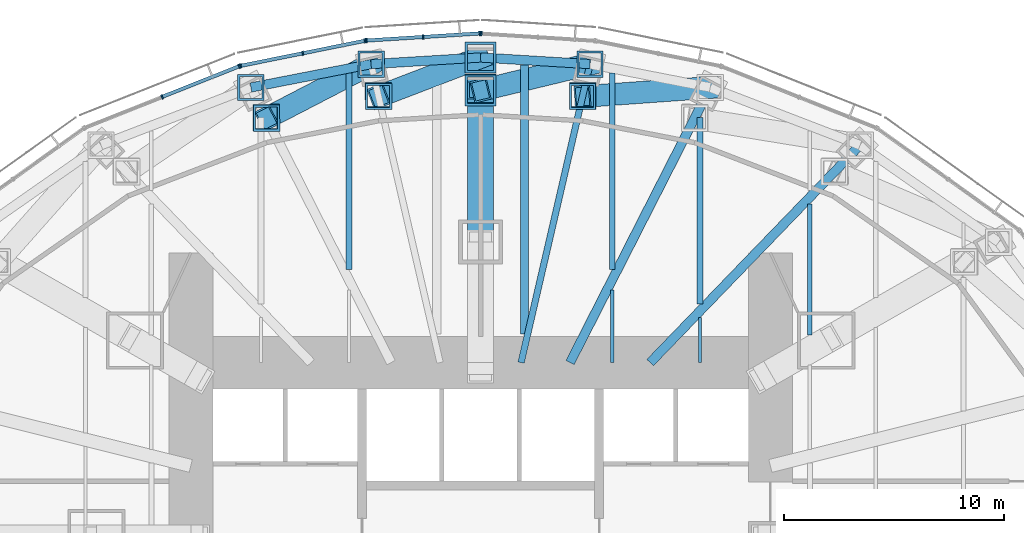
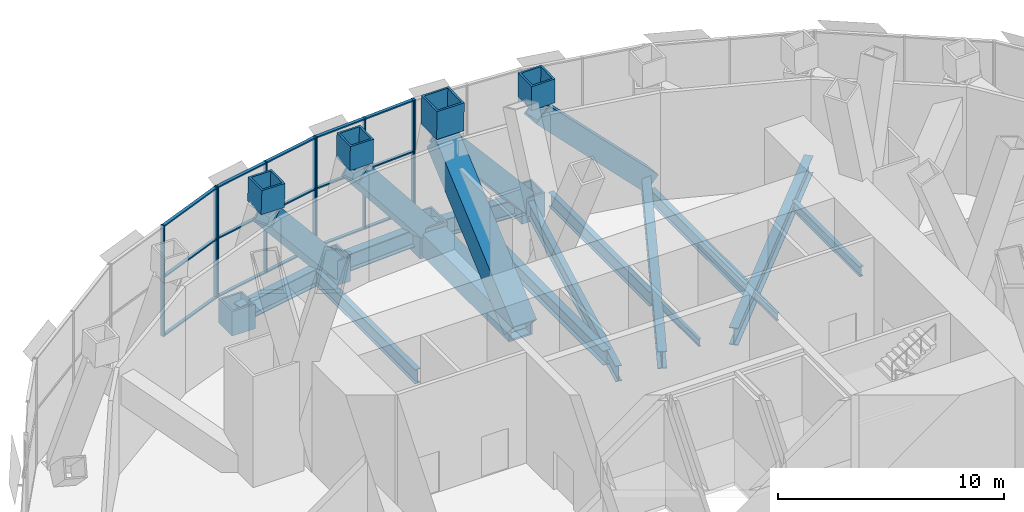
# One storey, part 9 of 21: 37 members, 14 beams, 4 elements without a shape of their own.
"""IFC4 building model written with IfcOpenShell, lengths in metres."""

from ifc_helpers import new_model, si_unit, direction, frame, origin, origin_2d, place, context, subcontext, project, spatial, rectangle, hollow_rectangle, i_section, extrude, material, material_profile, profile_set, type_object, element, aggregate, save


model = new_model("IFC4")

# Units and contexts
model_context = context("Model", 3, precision=1e-05, world=origin(), true_north=direction((0.0, 1.0)))
body_context = subcontext(model_context, "Body", "Model", "MODEL_VIEW")
ifc_project = project(units=[si_unit("LENGTHUNIT", "METRE"), si_unit("AREAUNIT", "SQUARE_METRE"), si_unit("VOLUMEUNIT", "CUBIC_METRE"), si_unit("PLANEANGLEUNIT", "RADIAN"), si_unit("MASSUNIT", "GRAM", prefix="KILO")], contexts=[model_context])

# Site, building, storey
site_placement = place(None, origin())
site = spatial("IfcSite", under=ifc_project, at=site_placement, CompositionType="ELEMENT")
building_placement = place(site_placement, origin())
building = spatial("IfcBuilding", under=site, at=building_placement, Name="Lantaw Convention Tower", CompositionType="ELEMENT")
storey_placement = place(building_placement, frame((0.0, 0.0, 105.39990234375)))
storey = spatial("IfcBuildingStorey", under=building, at=storey_placement, Name="L25", CompositionType="ELEMENT", Elevation=105.39990234375)

# Beams
ifc_material_1 = material(Name="Steel ASTM A992", Category="steel")
ifc_material_profile_1 = material_profile(ifc_material_1, i_section(OverallWidth=0.424072265625, OverallDepth=0.947509765625, WebThickness=0.02392578125, FlangeThickness=0.042724609375, FilletRadius=0.012451171875, at=origin_2d()), Name="W36X302")
ifc_profile_set_1 = profile_set([ifc_material_profile_1], Name="Steel ASTM A992")
beam_type_1 = type_object("IfcBeamType", Name="Beam BC W36X302", PredefinedType="SPANDREL", material=ifc_profile_set_1)
for number, where, z_axis, x_axis, name in (
    (1, (4.986328125, 21.59814453125, -0.673583984375), (-0.998173858406, 0.060406526096, 0.0), (-0.060406526096, -0.998173858406, 0.0), "Belt truss chord 6"),
    (2, (0.0, 21.89990234375, -0.673583984375), (-0.998173858406, -0.060406526096, 0.0), (0.060406526096, -0.998173858406, 0.0), "Belt truss chord 7"),
):
    element("IfcBeam", number, at=place(storey_placement, frame(where, z_axis=z_axis, x_axis=x_axis)), inside=storey, type_object=beam_type_1, Name=name, PredefinedType="SPANDREL", context=body_context, shape_type="SweptSolid", body=[
        extrude(i_section(OverallWidth=0.424072265625, OverallDepth=0.947509765625, WebThickness=0.02392578125, FlangeThickness=0.042724609375, FilletRadius=0.012451171875, at=origin_2d()), origin(), (0.0, 0.0, 1.0), 4.995361328125),
    ])
beam_1_placement = place(storey_placement, frame((-4.986328125, 21.59814453125, -0.673583984375), z_axis=(-0.981636565323, -0.190760723474, 0.0), x_axis=(0.190760723474, -0.981636565323, 0.0)))
element("IfcBeam", 3, at=beam_1_placement, inside=storey, type_object=beam_type_1, Name="Belt truss chord 8", PredefinedType="SPANDREL", context=body_context, shape_type="SweptSolid", body=[
    extrude(i_section(OverallWidth=0.424072265625, OverallDepth=0.947509765625, WebThickness=0.02392578125, FlangeThickness=0.042724609375, FilletRadius=0.012451171875, at=origin_2d()), origin(), (0.0, 0.0, 1.0), 5.578857421875),
])
ifc_material_2 = material(Name="Steel EN 10025-3 S460N", Category="steel")
ifc_material_profile_2 = material_profile(ifc_material_2, hollow_rectangle(XDim=1.199951171875, YDim=1.199951171875, WallThickness=0.10009765625, at=origin_2d()), Name="BOX1200X100")
ifc_profile_set_2 = profile_set([ifc_material_profile_2], Name="Steel EN 10025-3 S460N")
beam_type_2 = type_object("IfcBeamType", Name="Beam G BOX1200X100", PredefinedType="BEAM", material=ifc_profile_set_2)
beam_2_placement = place(storey_placement, frame((0.0, 13.5, -0.7998046875), z_axis=(0.0, 1.0, 0.0), x_axis=(-1.0, 0.0, 0.0)))
element("IfcBeam", 4, at=beam_2_placement, inside=storey, type_object=beam_type_2, Name="Floor girder on ray 7", PredefinedType="BEAM", context=body_context, shape_type="SweptSolid", body=[
    extrude(hollow_rectangle(XDim=1.199951171875, YDim=1.199951171875, WallThickness=0.10009765625, at=origin_2d()), origin(), (0.0, 0.0, 1.0), 8.39990234375),
])
ifc_material_profile_3 = material_profile(ifc_material_1, i_section(OverallWidth=0.2919921875, OverallDepth=0.845703125, WebThickness=0.015380859375, FlangeThickness=0.0244140625, FilletRadius=0.01513671875, at=origin_2d()), Name="W33X141")
ifc_profile_set_3 = profile_set([ifc_material_profile_3], Name="Steel ASTM A992")
beam_type_3 = type_object("IfcBeamType", Name="Beam G W33X141", PredefinedType="BEAM", material=ifc_profile_set_3)
beam_3_placement = place(storey_placement, frame((1.846923828125, 8.0, -0.622802734375), z_axis=(0.224952773175, 0.97436966796, 0.0), x_axis=(-0.97436966796, 0.224952773175, 0.0)))
element("IfcBeam", 5, at=beam_3_placement, inside=storey, type_object=beam_type_3, Name="Floor girder on ray 6", PredefinedType="BEAM", context=body_context, shape_type="SweptSolid", body=[
    extrude(i_section(OverallWidth=0.2919921875, OverallDepth=0.845703125, WebThickness=0.015380859375, FlangeThickness=0.0244140625, FilletRadius=0.01513671875, at=origin_2d()), origin(), (0.0, 0.0, 1.0), 13.955810546875),
])
ifc_material_profile_4 = material_profile(ifc_material_1, i_section(OverallWidth=0.421630859375, OverallDepth=0.937255859375, WebThickness=0.0224609375, FlangeThickness=0.039794921875, FilletRadius=0.02001953125, at=origin_2d()), Name="W36X282")
ifc_profile_set_4 = profile_set([ifc_material_profile_4], Name="Steel ASTM A992")
beam_type_4 = type_object("IfcBeamType", Name="Beam G W36X282", PredefinedType="BEAM", material=ifc_profile_set_4)
beam_4_placement = place(storey_placement, frame((7.7255859375, 8.0, -0.66845703125), z_axis=(0.694649884291, 0.719347995239, 0.0), x_axis=(-0.719347995239, 0.694649884291, 0.0)))
element("IfcBeam", 6, at=beam_4_placement, inside=storey, type_object=beam_type_4, Name="Floor girder on ray 4", PredefinedType="BEAM", context=body_context, shape_type="SweptSolid", body=[
    extrude(i_section(OverallWidth=0.421630859375, OverallDepth=0.937255859375, WebThickness=0.0224609375, FlangeThickness=0.039794921875, FilletRadius=0.02001953125, at=origin_2d()), origin(), (0.0, 0.0, 1.0), 13.769775390625),
])
beam_5_placement = place(storey_placement, frame((4.076171875, 8.0, -0.66845703125), z_axis=(0.453997016122, 0.891003203896, 0.0), x_axis=(-0.891003203896, 0.453997016122, 0.0)))
element("IfcBeam", 7, at=beam_5_placement, inside=storey, type_object=beam_type_4, Name="Floor girder on ray 5", PredefinedType="BEAM", context=body_context, shape_type="SweptSolid", body=[
    extrude(i_section(OverallWidth=0.421630859375, OverallDepth=0.937255859375, WebThickness=0.0224609375, FlangeThickness=0.039794921875, FilletRadius=0.02001953125, at=origin_2d()), origin(), (0.0, 0.0, 1.0), 14.067138671875),
])
ifc_material_profile_5 = material_profile(ifc_material_1, i_section(OverallWidth=0.140380859375, OverallDepth=0.40380859375, WebThickness=0.007080078125, FlangeThickness=0.01123046875, FilletRadius=0.01025390625, at=origin_2d()), Name="W16X31")
ifc_profile_set_5 = profile_set([ifc_material_profile_5], Name="Steel ASTM A992")
beam_type_5 = type_object("IfcBeamType", Name="Beam J W16X31", PredefinedType="JOIST", material=ifc_profile_set_5)
beam_6_placement = place(storey_placement, frame((6.0, 8.0, -0.40185546875), z_axis=(0.0, 1.0, 0.0), x_axis=(-1.0, 0.0, 0.0)))
element("IfcBeam", 8, at=beam_6_placement, inside=storey, type_object=beam_type_5, Name="Floor joist", PredefinedType="JOIST", context=body_context, shape_type="SweptSolid", body=[
    extrude(i_section(OverallWidth=0.140380859375, OverallDepth=0.40380859375, WebThickness=0.007080078125, FlangeThickness=0.01123046875, FilletRadius=0.01025390625, at=origin_2d()), origin(), (0.0, 0.0, 1.0), 3.311279296875),
])
beam_7_placement = place(storey_placement, frame((10.0, 8.0, -0.40185546875), z_axis=(0.0, 1.0, 0.0), x_axis=(-1.0, 0.0, 0.0)))
element("IfcBeam", 9, at=beam_7_placement, inside=storey, type_object=beam_type_5, Name="Floor joist", PredefinedType="JOIST", context=body_context, shape_type="SweptSolid", body=[
    extrude(i_section(OverallWidth=0.140380859375, OverallDepth=0.40380859375, WebThickness=0.007080078125, FlangeThickness=0.01123046875, FilletRadius=0.01025390625, at=origin_2d()), origin(), (0.0, 0.0, 1.0), 2.0517578125),
])
ifc_material_profile_6 = material_profile(ifc_material_1, i_section(OverallWidth=0.2099609375, OverallDepth=0.535888671875, WebThickness=0.010986328125, FlangeThickness=0.017333984375, FilletRadius=0.012939453125, at=origin_2d()), Name="W21X68")
ifc_profile_set_6 = profile_set([ifc_material_profile_6], Name="Steel ASTM A992")
beam_type_6 = type_object("IfcBeamType", Name="Beam J W21X68", PredefinedType="JOIST", material=ifc_profile_set_6)
beam_8_placement = place(storey_placement, frame((15.0, 9.262451171875, -0.4677734375), z_axis=(0.0, 1.0, 0.0), x_axis=(-1.0, 0.0, 0.0)))
element("IfcBeam", 10, at=beam_8_placement, inside=storey, type_object=beam_type_6, Name="Floor joist", PredefinedType="JOIST", context=body_context, shape_type="SweptSolid", body=[
    extrude(i_section(OverallWidth=0.2099609375, OverallDepth=0.535888671875, WebThickness=0.010986328125, FlangeThickness=0.017333984375, FilletRadius=0.012939453125, at=origin_2d()), origin(), (0.0, 0.0, 1.0), 5.967041015625),
])
ifc_material_profile_7 = material_profile(ifc_material_1, i_section(OverallWidth=0.2666015625, OverallDepth=0.7568359375, WebThickness=0.013916015625, FlangeThickness=0.019287109375, FilletRadius=0.0126953125, at=origin_2d()), Name="W30X108")
ifc_profile_set_7 = profile_set([ifc_material_profile_7], Name="Steel ASTM A992")
beam_type_7 = type_object("IfcBeamType", Name="Beam J W30X108", PredefinedType="JOIST", material=ifc_profile_set_7)
beam_9_placement = place(storey_placement, frame((10.0, 10.65869140625, -0.578369140625), z_axis=(0.0, 1.0, 0.0), x_axis=(-1.0, 0.0, 0.0)))
element("IfcBeam", 11, at=beam_9_placement, inside=storey, type_object=beam_type_7, Name="Floor joist", PredefinedType="JOIST", context=body_context, shape_type="SweptSolid", body=[
    extrude(i_section(OverallWidth=0.2666015625, OverallDepth=0.7568359375, WebThickness=0.013916015625, FlangeThickness=0.019287109375, FilletRadius=0.0126953125, at=origin_2d()), origin(), (0.0, 0.0, 1.0), 8.5029296875),
])
ifc_material_profile_8 = material_profile(ifc_material_1, i_section(OverallWidth=0.2666015625, OverallDepth=0.76953125, WebThickness=0.015625, FlangeThickness=0.025390625, FilletRadius=0.0126953125, at=origin_2d()), Name="W30X132")
ifc_profile_set_8 = profile_set([ifc_material_profile_8], Name="Steel ASTM A992")
beam_type_8 = type_object("IfcBeamType", Name="Beam J W30X132", PredefinedType="JOIST", material=ifc_profile_set_8)
for number, where, z_axis, x_axis, name in (
    (12, (-6.0, 12.239990234375, -0.584716796875), (0.0, 1.0, 0.0), (-1.0, 0.0, 0.0), "Floor joist"),
    (13, (6.0, 12.239990234375, -0.584716796875), (0.0, 1.0, 0.0), (-1.0, 0.0, 0.0), "Floor joist"),
):
    element("IfcBeam", number, at=place(storey_placement, frame(where, z_axis=z_axis, x_axis=x_axis)), inside=storey, type_object=beam_type_8, Name=name, PredefinedType="JOIST", context=body_context, shape_type="SweptSolid", body=[
        extrude(i_section(OverallWidth=0.2666015625, OverallDepth=0.76953125, WebThickness=0.015625, FlangeThickness=0.025390625, FilletRadius=0.0126953125, at=origin_2d()), origin(), (0.0, 0.0, 1.0), 8.945068359375),
    ])
ifc_material_profile_9 = material_profile(ifc_material_1, i_section(OverallWidth=0.381103515625, OverallDepth=0.772216796875, WebThickness=0.0166015625, FlangeThickness=0.027099609375, FilletRadius=0.0146484375, at=origin_2d()), Name="W30X173")
ifc_profile_set_9 = profile_set([ifc_material_profile_9], Name="Steel ASTM A992")
beam_type_9 = type_object("IfcBeamType", Name="Beam J W30X173", PredefinedType="JOIST", material=ifc_profile_set_9)
beam_10_placement = place(storey_placement, frame((2.0, 9.312255859375, -0.5859375), z_axis=(0.0, 1.0, 0.0), x_axis=(-1.0, 0.0, 0.0)))
element("IfcBeam", 14, at=beam_10_placement, inside=storey, type_object=beam_type_9, Name="Floor joist", PredefinedType="JOIST", context=body_context, shape_type="SweptSolid", body=[
    extrude(i_section(OverallWidth=0.381103515625, OverallDepth=0.772216796875, WebThickness=0.0166015625, FlangeThickness=0.027099609375, FilletRadius=0.0146484375, at=origin_2d()), origin(), (0.0, 0.0, 1.0), 12.254150390625),
])

# Curtain wall, member
ifc_material_3 = material(Name="Aluminium framed curtain wall", Category="aluminium")
curtain_wall_type = type_object("IfcCurtainWallType", Name="Plant floor louvre wall, pale aluminium", PredefinedType="USERDEFINED", material=ifc_material_3)
curtain_wall_1_placement = place(storey_placement, origin())
curtain_wall_1 = element("IfcCurtainWall", 15, at=curtain_wall_1_placement, inside=storey, type_object=curtain_wall_type, Name="Plant floor louvre wall, pale aluminium L25", ObjectType="LOUVRE WALL", PredefinedType="USERDEFINED")
ifc_material_4 = material(Name="Aluminium 6063-T6", Category="aluminium")
ifc_material_profile_10 = material_profile(ifc_material_4, rectangle(XDim=0.199951171875, YDim=0.070068359375, at=origin_2d()), Name="CW-LV mullion 70x200")
ifc_profile_set_10 = profile_set([ifc_material_profile_10], Name="Aluminium 6063-T6")
member_type_1 = type_object("IfcMemberType", Name="CW-LV mullion 70x200", PredefinedType="MULLION", material=ifc_profile_set_10)
member_1_placement = place(storey_placement, frame((0.034912109375, 22.997802734375, -0.199951171875), z_axis=(0.0, 0.0, 1.0), x_axis=(-0.062958373078, -0.998016153807, 0.0)))
member_1 = element("IfcMember", 16, at=member_1_placement, type_object=member_type_1, Name="CW-LV mullion 3", PredefinedType="MULLION", context=body_context, shape_type="SweptSolid", body=[
    extrude(rectangle(XDim=0.199951171875, YDim=0.070068359375, at=origin_2d()), origin(), (0.0, 0.0, 1.0), 6.0),
])
aggregate(curtain_wall_1, [member_1])

# Curtain wall, members
curtain_wall_2_placement = place(storey_placement, origin())
curtain_wall_2 = element("IfcCurtainWall", 17, at=curtain_wall_2_placement, inside=storey, type_object=curtain_wall_type, Name="Plant floor louvre wall, pale aluminium L25", ObjectType="LOUVRE WALL", PredefinedType="USERDEFINED")
member_2_placement = place(storey_placement, frame((-0.034912109375, 22.997802734375, -0.199951171875), z_axis=(0.0, 0.0, 1.0), x_axis=(0.062958373078, -0.998016153807, 0.0)))
member_2 = element("IfcMember", 18, at=member_2_placement, type_object=member_type_1, Name="CW-LV mullion 1", PredefinedType="MULLION", context=body_context, shape_type="SweptSolid", body=[
    extrude(rectangle(XDim=0.199951171875, YDim=0.070068359375, at=origin_2d()), origin(), (0.0, 0.0, 1.0), 6.0),
])
member_3_placement = place(storey_placement, frame((-2.616943359375, 22.8349609375, -0.199951171875), z_axis=(0.0, 0.0, 1.0), x_axis=(0.062958373078, -0.998016153807, 0.0)))
member_3 = element("IfcMember", 19, at=member_3_placement, type_object=member_type_1, Name="CW-LV mullion 2", PredefinedType="MULLION", context=body_context, shape_type="SweptSolid", body=[
    extrude(rectangle(XDim=0.199951171875, YDim=0.070068359375, at=origin_2d()), origin(), (0.0, 0.0, 1.0), 6.0),
])
member_4_placement = place(storey_placement, frame((-5.19873046875, 22.672119140625, -0.199951171875), z_axis=(0.0, 0.0, 1.0), x_axis=(0.062958373078, -0.998016153807, 0.0)))
member_4 = element("IfcMember", 20, at=member_4_placement, type_object=member_type_1, Name="CW-LV mullion 3", PredefinedType="MULLION", context=body_context, shape_type="SweptSolid", body=[
    extrude(rectangle(XDim=0.199951171875, YDim=0.070068359375, at=origin_2d()), origin(), (0.0, 0.0, 1.0), 6.0),
])

curtain_wall_3_placement = place(storey_placement, origin())
curtain_wall_3 = element("IfcCurtainWall", 21, at=curtain_wall_3_placement, inside=storey, type_object=curtain_wall_type, Name="Plant floor louvre wall, pale aluminium L25", ObjectType="LOUVRE WALL", PredefinedType="USERDEFINED")
member_5_placement = place(storey_placement, frame((-5.26806640625, 22.662841796875, -0.199951171875), z_axis=(0.0, 0.0, 1.0), x_axis=(0.197789067813, -0.980244604501, 0.0)))
member_5 = element("IfcMember", 22, at=member_5_placement, type_object=member_type_1, Name="CW-LV mullion 1", PredefinedType="MULLION", context=body_context, shape_type="SweptSolid", body=[
    extrude(rectangle(XDim=0.199951171875, YDim=0.070068359375, at=origin_2d()), origin(), (0.0, 0.0, 1.0), 6.0),
])
member_6_placement = place(storey_placement, frame((-8.097900390625, 22.092041015625, -0.199951171875), z_axis=(0.0, 0.0, 1.0), x_axis=(0.197789067813, -0.980244604501, 0.0)))
member_6 = element("IfcMember", 23, at=member_6_placement, type_object=member_type_1, Name="CW-LV mullion 2", PredefinedType="MULLION", context=body_context, shape_type="SweptSolid", body=[
    extrude(rectangle(XDim=0.199951171875, YDim=0.070068359375, at=origin_2d()), origin(), (0.0, 0.0, 1.0), 6.0),
])
member_7_placement = place(storey_placement, frame((-10.927734375, 21.52099609375, -0.199951171875), z_axis=(0.0, 0.0, 1.0), x_axis=(0.197789067813, -0.980244604501, 0.0)))
member_7 = element("IfcMember", 24, at=member_7_placement, type_object=member_type_1, Name="CW-LV mullion 3", PredefinedType="MULLION", context=body_context, shape_type="SweptSolid", body=[
    extrude(rectangle(XDim=0.199951171875, YDim=0.070068359375, at=origin_2d()), origin(), (0.0, 0.0, 1.0), 6.0),
])

curtain_wall_4_placement = place(storey_placement, origin())
curtain_wall_4 = element("IfcCurtainWall", 25, at=curtain_wall_4_placement, inside=storey, type_object=curtain_wall_type, Name="Plant floor louvre wall, pale aluminium L25", ObjectType="LOUVRE WALL", PredefinedType="USERDEFINED")
member_8_placement = place(storey_placement, frame((-10.994384765625, 21.501220703125, -0.199951171875), z_axis=(0.0, 0.0, 1.0), x_axis=(0.369171840425, -0.929361152748, 0.0)))
member_8 = element("IfcMember", 26, at=member_8_placement, type_object=member_type_1, Name="CW-LV mullion 1", PredefinedType="MULLION", context=body_context, shape_type="SweptSolid", body=[
    extrude(rectangle(XDim=0.199951171875, YDim=0.070068359375, at=origin_2d()), origin(), (0.0, 0.0, 1.0), 6.0),
])
member_9_placement = place(storey_placement, frame((-14.508544921875, 20.105224609375, -0.199951171875), z_axis=(0.0, 0.0, 1.0), x_axis=(0.369171840425, -0.929361152748, 0.0)))
member_9 = element("IfcMember", 27, at=member_9_placement, type_object=member_type_1, Name="CW-LV mullion 2", PredefinedType="MULLION", context=body_context, shape_type="SweptSolid", body=[
    extrude(rectangle(XDim=0.199951171875, YDim=0.070068359375, at=origin_2d()), origin(), (0.0, 0.0, 1.0), 6.0),
])

# Member
ifc_material_profile_11 = material_profile(ifc_material_4, rectangle(XDim=0.159912109375, YDim=0.070068359375, at=origin_2d()), Name="CW-LV transom 70x160")
ifc_profile_set_11 = profile_set([ifc_material_profile_11], Name="Aluminium 6063-T6")
member_type_2 = type_object("IfcMemberType", Name="CW-LV transom 70x160", PredefinedType="USERDEFINED", material=ifc_profile_set_11)
member_10_placement = place(storey_placement, frame((-0.06982421875, 22.99560546875, -0.164794921875), z_axis=(-0.998016942507, -0.062945869357, 0.0), x_axis=(0.062945869357, -0.998016942507, 0.0)))
member_10 = element("IfcMember", 28, at=member_10_placement, type_object=member_type_2, Name="CW-LV transom 1.1", ObjectType="TRANSOM", PredefinedType="USERDEFINED", context=body_context, shape_type="SweptSolid", body=[
    extrude(rectangle(XDim=0.159912109375, YDim=0.070068359375, at=origin_2d()), origin(), (0.0, 0.0, 1.0), 2.51708984375),
])

member_11_placement = place(storey_placement, frame((-0.06982421875, 22.99560546875, 3.0), z_axis=(-0.998016942507, -0.062945869357, 0.0), x_axis=(0.062945869357, -0.998016942507, 0.0)))
member_11 = element("IfcMember", 29, at=member_11_placement, type_object=member_type_2, Name="CW-LV transom 1.2", ObjectType="TRANSOM", PredefinedType="USERDEFINED", context=body_context, shape_type="SweptSolid", body=[
    extrude(rectangle(XDim=0.159912109375, YDim=0.070068359375, at=origin_2d()), origin(), (0.0, 0.0, 1.0), 2.51708984375),
])

member_12_placement = place(storey_placement, frame((-0.06982421875, 22.99560546875, 5.76513671875), z_axis=(-0.998016942507, -0.062945869357, 0.0), x_axis=(0.062945869357, -0.998016942507, 0.0)))
member_12 = element("IfcMember", 30, at=member_12_placement, type_object=member_type_2, Name="CW-LV transom 1.3", ObjectType="TRANSOM", PredefinedType="USERDEFINED", context=body_context, shape_type="SweptSolid", body=[
    extrude(rectangle(XDim=0.159912109375, YDim=0.070068359375, at=origin_2d()), origin(), (0.0, 0.0, 1.0), 2.51708984375),
])

member_13_placement = place(storey_placement, frame((-2.65185546875, 22.832763671875, -0.164794921875), z_axis=(-0.998016558163, -0.062951962897, 0.0), x_axis=(0.062951962897, -0.998016558163, 0.0)))
member_13 = element("IfcMember", 31, at=member_13_placement, type_object=member_type_2, Name="CW-LV transom 2.1", ObjectType="TRANSOM", PredefinedType="USERDEFINED", context=body_context, shape_type="SweptSolid", body=[
    extrude(rectangle(XDim=0.159912109375, YDim=0.070068359375, at=origin_2d()), origin(), (0.0, 0.0, 1.0), 2.516845703125),
])

member_14_placement = place(storey_placement, frame((-2.65185546875, 22.832763671875, 3.0), z_axis=(-0.998016558163, -0.062951962897, 0.0), x_axis=(0.062951962897, -0.998016558163, 0.0)))
member_14 = element("IfcMember", 32, at=member_14_placement, type_object=member_type_2, Name="CW-LV transom 2.2", ObjectType="TRANSOM", PredefinedType="USERDEFINED", context=body_context, shape_type="SweptSolid", body=[
    extrude(rectangle(XDim=0.159912109375, YDim=0.070068359375, at=origin_2d()), origin(), (0.0, 0.0, 1.0), 2.516845703125),
])

member_15_placement = place(storey_placement, frame((-2.65185546875, 22.832763671875, 5.76513671875), z_axis=(-0.998016558163, -0.062951962897, 0.0), x_axis=(0.062951962897, -0.998016558163, 0.0)))
member_15 = element("IfcMember", 33, at=member_15_placement, type_object=member_type_2, Name="CW-LV transom 2.3", ObjectType="TRANSOM", PredefinedType="USERDEFINED", context=body_context, shape_type="SweptSolid", body=[
    extrude(rectangle(XDim=0.159912109375, YDim=0.070068359375, at=origin_2d()), origin(), (0.0, 0.0, 1.0), 2.516845703125),
])

aggregate(curtain_wall_2, [member_2, member_3, member_4, member_10, member_11, member_12, member_13, member_14, member_15])

member_16_placement = place(storey_placement, frame((-5.30224609375, 22.656005859375, -0.164794921875), z_axis=(-0.980245910217, -0.197782596562, 0.0), x_axis=(0.197782596562, -0.980245910217, 0.0)))
member_16 = element("IfcMember", 34, at=member_16_placement, type_object=member_type_2, Name="CW-LV transom 1.1", ObjectType="TRANSOM", PredefinedType="USERDEFINED", context=body_context, shape_type="SweptSolid", body=[
    extrude(rectangle(XDim=0.159912109375, YDim=0.070068359375, at=origin_2d()), origin(), (0.0, 0.0, 1.0), 2.81689453125),
])

member_17_placement = place(storey_placement, frame((-5.30224609375, 22.656005859375, 3.0), z_axis=(-0.980245910217, -0.197782596562, 0.0), x_axis=(0.197782596562, -0.980245910217, 0.0)))
member_17 = element("IfcMember", 35, at=member_17_placement, type_object=member_type_2, Name="CW-LV transom 1.2", ObjectType="TRANSOM", PredefinedType="USERDEFINED", context=body_context, shape_type="SweptSolid", body=[
    extrude(rectangle(XDim=0.159912109375, YDim=0.070068359375, at=origin_2d()), origin(), (0.0, 0.0, 1.0), 2.81689453125),
])

member_18_placement = place(storey_placement, frame((-5.30224609375, 22.656005859375, 5.76513671875), z_axis=(-0.980245910217, -0.197782596562, 0.0), x_axis=(0.197782596562, -0.980245910217, 0.0)))
member_18 = element("IfcMember", 36, at=member_18_placement, type_object=member_type_2, Name="CW-LV transom 1.3", ObjectType="TRANSOM", PredefinedType="USERDEFINED", context=body_context, shape_type="SweptSolid", body=[
    extrude(rectangle(XDim=0.159912109375, YDim=0.070068359375, at=origin_2d()), origin(), (0.0, 0.0, 1.0), 2.81689453125),
])

member_19_placement = place(storey_placement, frame((-8.132080078125, 22.0849609375, -0.164794921875), z_axis=(-0.980245910217, -0.197782596562, 0.0), x_axis=(0.197782596562, -0.980245910217, 0.0)))
member_19 = element("IfcMember", 37, at=member_19_placement, type_object=member_type_2, Name="CW-LV transom 2.1", ObjectType="TRANSOM", PredefinedType="USERDEFINED", context=body_context, shape_type="SweptSolid", body=[
    extrude(rectangle(XDim=0.159912109375, YDim=0.070068359375, at=origin_2d()), origin(), (0.0, 0.0, 1.0), 2.81689453125),
])

member_20_placement = place(storey_placement, frame((-8.132080078125, 22.0849609375, 3.0), z_axis=(-0.980245910217, -0.197782596562, 0.0), x_axis=(0.197782596562, -0.980245910217, 0.0)))
member_20 = element("IfcMember", 38, at=member_20_placement, type_object=member_type_2, Name="CW-LV transom 2.2", ObjectType="TRANSOM", PredefinedType="USERDEFINED", context=body_context, shape_type="SweptSolid", body=[
    extrude(rectangle(XDim=0.159912109375, YDim=0.070068359375, at=origin_2d()), origin(), (0.0, 0.0, 1.0), 2.81689453125),
])

member_21_placement = place(storey_placement, frame((-8.132080078125, 22.0849609375, 5.76513671875), z_axis=(-0.980245910217, -0.197782596562, 0.0), x_axis=(0.197782596562, -0.980245910217, 0.0)))
member_21 = element("IfcMember", 39, at=member_21_placement, type_object=member_type_2, Name="CW-LV transom 2.3", ObjectType="TRANSOM", PredefinedType="USERDEFINED", context=body_context, shape_type="SweptSolid", body=[
    extrude(rectangle(XDim=0.159912109375, YDim=0.070068359375, at=origin_2d()), origin(), (0.0, 0.0, 1.0), 2.81689453125),
])

aggregate(curtain_wall_3, [member_5, member_6, member_7, member_16, member_17, member_18, member_19, member_20, member_21])

member_22_placement = place(storey_placement, frame((-11.027099609375, 21.48828125, -0.164794921875), z_axis=(-0.929345282999, -0.369211788772, 0.0), x_axis=(0.369211788772, -0.929345282999, 0.0)))
member_22 = element("IfcMember", 40, at=member_22_placement, type_object=member_type_2, Name="CW-LV transom 1.1", ObjectType="TRANSOM", PredefinedType="USERDEFINED", context=body_context, shape_type="SweptSolid", body=[
    extrude(rectangle(XDim=0.159912109375, YDim=0.070068359375, at=origin_2d()), origin(), (0.0, 0.0, 1.0), 3.7109375),
])

member_23_placement = place(storey_placement, frame((-11.027099609375, 21.48828125, 3.0), z_axis=(-0.929345282999, -0.369211788772, 0.0), x_axis=(0.369211788772, -0.929345282999, 0.0)))
member_23 = element("IfcMember", 41, at=member_23_placement, type_object=member_type_2, Name="CW-LV transom 1.2", ObjectType="TRANSOM", PredefinedType="USERDEFINED", context=body_context, shape_type="SweptSolid", body=[
    extrude(rectangle(XDim=0.159912109375, YDim=0.070068359375, at=origin_2d()), origin(), (0.0, 0.0, 1.0), 3.7109375),
])

member_24_placement = place(storey_placement, frame((-11.027099609375, 21.48828125, 5.76513671875), z_axis=(-0.929345282999, -0.369211788772, 0.0), x_axis=(0.369211788772, -0.929345282999, 0.0)))
member_24 = element("IfcMember", 42, at=member_24_placement, type_object=member_type_2, Name="CW-LV transom 1.3", ObjectType="TRANSOM", PredefinedType="USERDEFINED", context=body_context, shape_type="SweptSolid", body=[
    extrude(rectangle(XDim=0.159912109375, YDim=0.070068359375, at=origin_2d()), origin(), (0.0, 0.0, 1.0), 3.7109375),
])

aggregate(curtain_wall_4, [member_8, member_9, member_22, member_23, member_24])

# Members
ifc_material_5 = material(Name="Steel ASTM A572 Grade 50", Category="steel")
ifc_material_profile_12 = material_profile(ifc_material_5, hollow_rectangle(XDim=1.0, YDim=1.0, WallThickness=0.080078125, at=origin_2d()), Name="BOX1000X80")
ifc_profile_set_12 = profile_set([ifc_material_profile_12], Name="Steel ASTM A572 Grade 50")
member_type_3 = type_object("IfcMemberType", Name="Member BT BOX1000X80", PredefinedType="BRACE", material=ifc_profile_set_12)
member_25_placement = place(storey_placement, frame((10.462646484375, 20.533935546875, -0.673583984375), z_axis=(-0.695259819553, -0.049455092288, 0.717055072614), x_axis=(0.070952540135, -0.997479692549, 0.0)))
element("IfcMember", 43, at=member_25_placement, inside=storey, type_object=member_type_3, Name="Belt truss diagonal 5", PredefinedType="BRACE", context=body_context, shape_type="SweptSolid", body=[
    extrude(hollow_rectangle(XDim=1.0, YDim=1.0, WallThickness=0.080078125, at=origin_2d()), origin(), (0.0, 0.0, 1.0), 8.36767578125),
])
member_26_placement = place(storey_placement, frame((4.986328125, 21.59814453125, -0.673583984375), z_axis=(-0.631741541664, -0.151810981516, 0.760168435563), x_axis=(0.233653829647, -0.972319848554, 0.0)))
element("IfcMember", 44, at=member_26_placement, inside=storey, type_object=member_type_3, Name="Belt truss diagonal 6", PredefinedType="BRACE", context=body_context, shape_type="SweptSolid", body=[
    extrude(hollow_rectangle(XDim=1.0, YDim=1.0, WallThickness=0.080078125, at=origin_2d()), origin(), (0.0, 0.0, 1.0), 7.89306640625),
])
member_27_placement = place(storey_placement, frame((0.0, 21.89990234375, -0.673583984375), z_axis=(-0.595986492675, -0.228358116872, 0.769839380006), x_axis=(0.357794793445, -0.933800238693, 0.0)))
element("IfcMember", 45, at=member_27_placement, inside=storey, type_object=member_type_3, Name="Belt truss diagonal 7", PredefinedType="BRACE", context=body_context, shape_type="SweptSolid", body=[
    extrude(hollow_rectangle(XDim=1.0, YDim=1.0, WallThickness=0.080078125, at=origin_2d()), origin(), (0.0, 0.0, 1.0), 7.7939453125),
])
member_28_placement = place(storey_placement, frame((-4.986328125, 21.59814453125, -0.673583984375), z_axis=(-0.591788692092, -0.306361233095, 0.745606423503), x_axis=(0.459735004718, -0.888056149935, 0.0)))
element("IfcMember", 46, at=member_28_placement, inside=storey, type_object=member_type_3, Name="Belt truss diagonal 8", PredefinedType="BRACE", context=body_context, shape_type="SweptSolid", body=[
    extrude(hollow_rectangle(XDim=1.0, YDim=1.0, WallThickness=0.080078125, at=origin_2d()), origin(), (0.0, 0.0, 1.0), 8.047119140625),
])
ifc_material_6 = material(Name="Cast steel ASTM A148 Grade 80-50", Category="steel")
ifc_material_profile_13 = material_profile(ifc_material_6, hollow_rectangle(XDim=1.199951171875, YDim=1.199951171875, WallThickness=0.10009765625, at=origin_2d()), Name="BOX1200X100")
ifc_profile_set_13 = profile_set([ifc_material_profile_13], Name="Cast steel ASTM A148 Grade 80-50")
member_type_4 = type_object("IfcMemberType", Name="Member CN BOX1200X100", PredefinedType="USERDEFINED", material=ifc_profile_set_13)
member_29_placement = place(storey_placement, frame((4.986328125, 21.59814453125, -1.31982421875), z_axis=(0.0, 0.0, 1.0), x_axis=(1.0, 0.0, 0.0)))
element("IfcMember", 47, at=member_29_placement, inside=storey, type_object=member_type_4, Name="Cast steel column node", ObjectType="COLUMN NODE", PredefinedType="USERDEFINED", context=body_context, shape_type="SweptSolid", body=[
    extrude(hollow_rectangle(XDim=1.199951171875, YDim=1.199951171875, WallThickness=0.10009765625, at=origin_2d()), origin(), (0.0, 0.0, 1.0), 1.31982421875),
])
member_30_placement = place(storey_placement, frame((4.653564453125, 20.156982421875, 5.85009765625), z_axis=(-0.006471628183, -0.027920453018, 0.999589198787), x_axis=(0.999978671347, -0.001060642418, 0.006444523953)))
element("IfcMember", 48, at=member_30_placement, inside=storey, type_object=member_type_4, Name="Cast steel column node", ObjectType="COLUMN NODE", PredefinedType="USERDEFINED", context=body_context, shape_type="SweptSolid", body=[
    extrude(hollow_rectangle(XDim=1.199951171875, YDim=1.199951171875, WallThickness=0.10009765625, at=origin_2d()), origin(), (0.0, 0.0, 1.0), 1.3203125),
])
member_31_placement = place(storey_placement, frame((-4.986328125, 21.59814453125, -1.31982421875), z_axis=(0.0, 0.0, 1.0), x_axis=(1.0, 0.0, 0.0)))
element("IfcMember", 49, at=member_31_placement, inside=storey, type_object=member_type_4, Name="Cast steel column node", ObjectType="COLUMN NODE", PredefinedType="USERDEFINED", context=body_context, shape_type="SweptSolid", body=[
    extrude(hollow_rectangle(XDim=1.199951171875, YDim=1.199951171875, WallThickness=0.10009765625, at=origin_2d()), origin(), (0.0, 0.0, 1.0), 1.31982421875),
])
member_32_placement = place(storey_placement, frame((-4.653564453125, 20.156982421875, 5.85009765625), z_axis=(0.006471628183, -0.027920453018, 0.999589198787), x_axis=(0.999978671347, 0.001060642418, -0.006444523953)))
element("IfcMember", 50, at=member_32_placement, inside=storey, type_object=member_type_4, Name="Cast steel column node", ObjectType="COLUMN NODE", PredefinedType="USERDEFINED", context=body_context, shape_type="SweptSolid", body=[
    extrude(hollow_rectangle(XDim=1.199951171875, YDim=1.199951171875, WallThickness=0.10009765625, at=origin_2d()), origin(), (0.0, 0.0, 1.0), 1.3203125),
])
member_33_placement = place(storey_placement, frame((-10.462646484375, 20.533935546875, -1.31982421875), z_axis=(0.0, 0.0, 1.0), x_axis=(1.0, 0.0, 0.0)))
element("IfcMember", 51, at=member_33_placement, inside=storey, type_object=member_type_4, Name="Cast steel column node", ObjectType="COLUMN NODE", PredefinedType="USERDEFINED", context=body_context, shape_type="SweptSolid", body=[
    extrude(hollow_rectangle(XDim=1.199951171875, YDim=1.199951171875, WallThickness=0.10009765625, at=origin_2d()), origin(), (0.0, 0.0, 1.0), 1.31982421875),
])
member_34_placement = place(storey_placement, frame((-9.76708984375, 19.1689453125, 5.844970703125), z_axis=(0.014049204278, -0.027358976753, 0.999526941233), x_axis=(0.999896306396, 0.003545230888, -0.013957356226)))
element("IfcMember", 52, at=member_34_placement, inside=storey, type_object=member_type_4, Name="Cast steel column node", ObjectType="COLUMN NODE", PredefinedType="USERDEFINED", context=body_context, shape_type="SweptSolid", body=[
    extrude(hollow_rectangle(XDim=1.199951171875, YDim=1.199951171875, WallThickness=0.10009765625, at=origin_2d()), origin(), (0.0, 0.0, 1.0), 1.32080078125),
])
ifc_material_profile_14 = material_profile(ifc_material_6, hollow_rectangle(XDim=1.39990234375, YDim=1.39990234375, WallThickness=0.10009765625, at=origin_2d()), Name="BOX1400X100")
ifc_profile_set_14 = profile_set([ifc_material_profile_14], Name="Cast steel ASTM A148 Grade 80-50")
member_type_5 = type_object("IfcMemberType", Name="Member CN BOX1400X100", PredefinedType="USERDEFINED", material=ifc_profile_set_14)
member_35_placement = place(storey_placement, frame((0.0, 21.89990234375, -1.539794921875), z_axis=(0.0, 0.0, 1.0), x_axis=(1.0, 0.0, 0.0)))
element("IfcMember", 53, at=member_35_placement, inside=storey, type_object=member_type_5, Name="Cast steel column node", ObjectType="COLUMN NODE", PredefinedType="USERDEFINED", context=body_context, shape_type="SweptSolid", body=[
    extrude(hollow_rectangle(XDim=1.39990234375, YDim=1.39990234375, WallThickness=0.10009765625, at=origin_2d()), origin(), (0.0, 0.0, 1.0), 1.539794921875),
])
member_36_placement = place(storey_placement, frame((0.0, 20.443115234375, 5.827392578125), z_axis=(0.0, -0.02804856712, 0.999606561544), x_axis=(1.0, 0.0, 0.0)))
element("IfcMember", 54, at=member_36_placement, inside=storey, type_object=member_type_5, Name="Cast steel column node", ObjectType="COLUMN NODE", PredefinedType="USERDEFINED", context=body_context, shape_type="SweptSolid", body=[
    extrude(hollow_rectangle(XDim=1.39990234375, YDim=1.39990234375, WallThickness=0.10009765625, at=origin_2d()), origin(), (0.0, 0.0, 1.0), 1.54052734375),
])
ifc_material_profile_15 = material_profile(ifc_material_2, hollow_rectangle(XDim=1.199951171875, YDim=1.199951171875, WallThickness=0.10009765625, at=origin_2d()), Name="BOX1200X100")
ifc_profile_set_15 = profile_set([ifc_material_profile_15], Name="Steel EN 10025-3 S460N")
member_type_6 = type_object("IfcMemberType", Name="Member OT BOX1200X100", PredefinedType="BRACE", material=ifc_profile_set_15)
member_37_placement = place(storey_placement, frame((0.0, 13.5, -0.7998046875), z_axis=(0.0, 0.754600923618, 0.656184003214), x_axis=(-1.0, 0.0, 0.0)))
element("IfcMember", 55, at=member_37_placement, inside=storey, type_object=member_type_6, Name="Outrigger diagonal 7 (outer)", PredefinedType="BRACE", context=body_context, shape_type="SweptSolid", body=[
    extrude(hollow_rectangle(XDim=1.199951171875, YDim=1.199951171875, WallThickness=0.10009765625, at=origin_2d()), origin(), (0.0, 0.0, 1.0), 9.143798828125),
])

save(model, "model.ifc")
